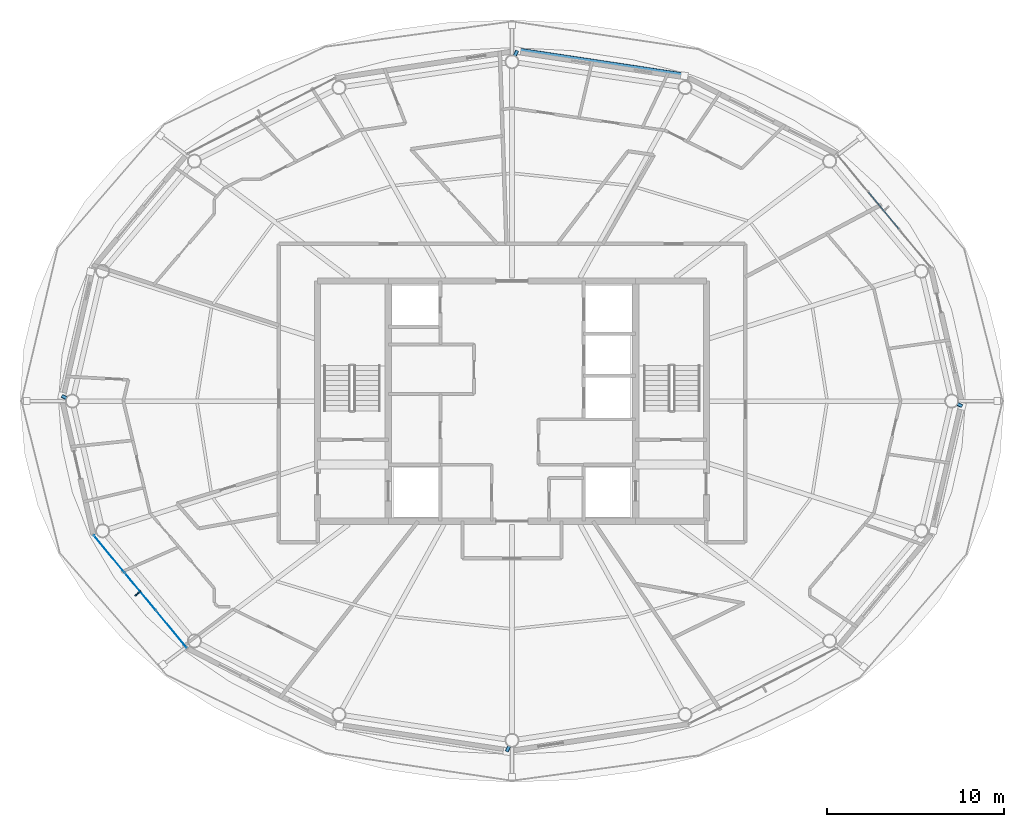
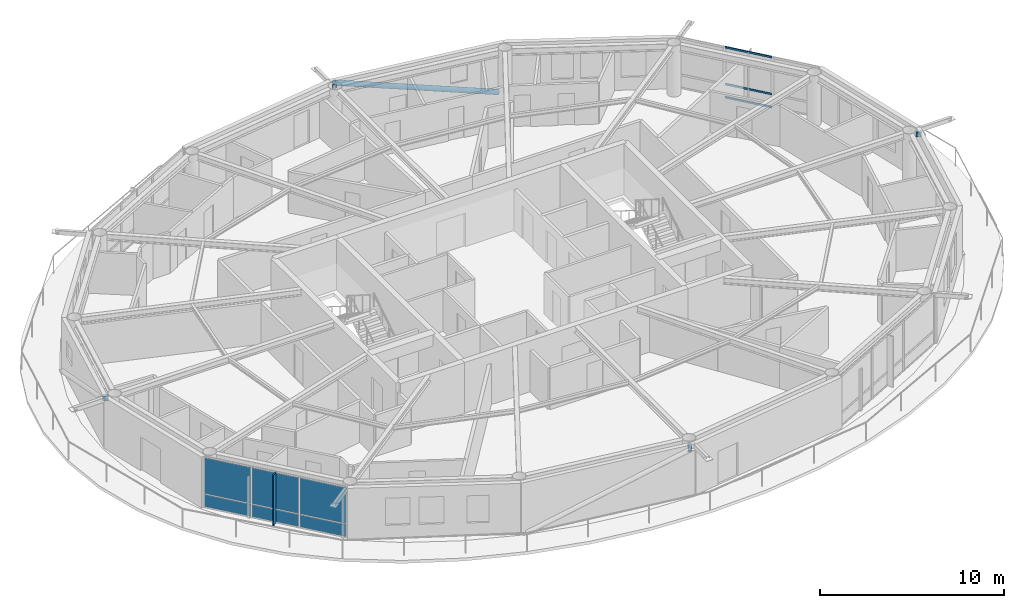
# One storey, part 12 of 22: 8 members, 7 plates, 2 elements without a shape of their own.
"""IFC4 building model written with IfcOpenShell, lengths in metres."""

from ifc_helpers import new_model, si_unit, direction, frame, origin, origin_2d, place, context, subcontext, project, spatial, rectangle, hollow_rectangle, hollow_circle, extrude, material, layer, layer_set, material_profile, profile_set, type_object, element, aggregate, save


model = new_model("IFC4")

# Units and contexts
model_context = context("Model", 3, precision=1e-05, world=origin(), true_north=direction((0.0, 1.0)))
body_context = subcontext(model_context, "Body", "Model", "MODEL_VIEW")
ifc_project = project(units=[si_unit("LENGTHUNIT", "METRE"), si_unit("AREAUNIT", "SQUARE_METRE"), si_unit("VOLUMEUNIT", "CUBIC_METRE"), si_unit("PLANEANGLEUNIT", "RADIAN"), si_unit("MASSUNIT", "GRAM", prefix="KILO")], contexts=[model_context])

# Site, building, storey
site_placement = place(None, origin())
site = spatial("IfcSite", under=ifc_project, at=site_placement, CompositionType="ELEMENT")
building_placement = place(site_placement, origin())
building = spatial("IfcBuilding", under=site, at=building_placement, Name="Sarneth Arch Tower", CompositionType="ELEMENT")
storey_placement = place(building_placement, frame((0.0, 0.0, 287.39990234375)))
storey = spatial("IfcBuildingStorey", under=building, at=storey_placement, Name="L74", CompositionType="ELEMENT", Elevation=287.39990234375)

# Curtain wall, members
ifc_material_1 = material(Name="Anodised aluminium Type AA25 and solar-control low-e laminated IGU", Category="aluminium")
ifc_layer_1 = layer(ifc_material_1, 0.179931640625)
ifc_layer_set_1 = layer_set([ifc_layer_1], Name="Anodised aluminium Type AA25 and solar-control low-e laminated IGU")
curtain_wall_type = type_object("IfcCurtainWallType", Name="CW-RES-HIGH", PredefinedType="NOTDEFINED", material=ifc_layer_set_1)
curtain_wall_1_placement = place(storey_placement, origin())
curtain_wall_1 = element("IfcCurtainWall", 1, at=curtain_wall_1_placement, inside=storey, type_object=curtain_wall_type, Name="L74 Unitised curtain wall facet 02", PredefinedType="NOTDEFINED")
ifc_material_2 = material(Name="Anodised Aluminium 6063-T6", Category="aluminium")
ifc_material_profile_1 = material_profile(ifc_material_2, hollow_rectangle(XDim=0.06005859375, YDim=0.1201171875, WallThickness=0.00390625, at=origin_2d()), Name="AL-TRAN-120x60x4")
ifc_profile_set_1 = profile_set([ifc_material_profile_1], Name="Anodised Aluminium 6063-T6")
member_type_1 = type_object("IfcMemberType", Name="CW-TRANSOM", PredefinedType="USERDEFINED", material=ifc_profile_set_1)
member_1_placement = place(storey_placement, frame((69.904296875, 51.731689453125, 0.030029296875), z_axis=(-0.637617371902, 0.770353222261, 0.0), x_axis=(-0.770353222261, -0.637617371902, 0.0)))
member_1 = element("IfcMember", 2, at=member_1_placement, type_object=member_type_1, Name="CW-SYS-6 transom 2.1", ObjectType="TRANSOM", PredefinedType="USERDEFINED", context=body_context, shape_type="SweptSolid", body=[
    extrude(hollow_rectangle(XDim=0.06005859375, YDim=0.1201171875, WallThickness=0.00390625, at=origin_2d()), origin(), (0.0, 0.0, 1.0), 2.716552734375),
])
member_2_placement = place(storey_placement, frame((69.904296875, 51.731689453125, 0.900146484375), z_axis=(-0.637617371902, 0.770353222261, 0.0), x_axis=(-0.770353222261, -0.637617371902, 0.0)))
member_2 = element("IfcMember", 3, at=member_2_placement, type_object=member_type_1, Name="CW-SYS-6 transom 2.2", ObjectType="TRANSOM", PredefinedType="USERDEFINED", context=body_context, shape_type="SweptSolid", body=[
    extrude(hollow_rectangle(XDim=0.06005859375, YDim=0.1201171875, WallThickness=0.00390625, at=origin_2d()), origin(), (0.0, 0.0, 1.0), 2.716552734375),
])
member_3_placement = place(storey_placement, frame((69.904296875, 51.731689453125, 3.340087890625), z_axis=(-0.637617371902, 0.770353222261, 0.0), x_axis=(-0.770353222261, -0.637617371902, 0.0)))
member_3 = element("IfcMember", 4, at=member_3_placement, type_object=member_type_1, Name="CW-SYS-6 transom 2.3", ObjectType="TRANSOM", PredefinedType="USERDEFINED", context=body_context, shape_type="SweptSolid", body=[
    extrude(hollow_rectangle(XDim=0.06005859375, YDim=0.1201171875, WallThickness=0.00390625, at=origin_2d()), origin(), (0.0, 0.0, 1.0), 2.716552734375),
])
aggregate(curtain_wall_1, [member_1, member_2, member_3])

# Members
ifc_material_3 = material(Name="Steel S355", Category="steel")
ifc_material_profile_2 = material_profile(ifc_material_3, hollow_rectangle(XDim=0.199951171875, YDim=0.300048828125, WallThickness=0.012451171875, InnerFilletRadius=0.018798828125, OuterFilletRadius=0.03125, at=origin_2d()), Name="RHS300x200x12.5")
ifc_profile_set_2 = profile_set([ifc_material_profile_2], Name="Steel S355")
member_type_2 = type_object("IfcMemberType", Name="MEM-CANT-STRUT", PredefinedType="STRUT", material=ifc_profile_set_2)
member_4_placement = place(storey_placement, frame((48.14501953125, 61.5107421875, 3.09228515625), z_axis=(0.423071936831, 0.906096096596, 0.0), x_axis=(-0.906096096596, 0.423071936831, 0.0)))
element("IfcMember", 5, at=member_4_placement, inside=storey, type_object=member_type_2, Name="L74 Exoskeleton brace node strut 04B", PredefinedType="STRUT", context=body_context, shape_type="SweptSolid", body=[
    extrude(hollow_rectangle(XDim=0.199951171875, YDim=0.300048828125, WallThickness=0.012451171875, InnerFilletRadius=0.018798828125, OuterFilletRadius=0.03125, at=origin_2d()), origin(), (0.0, 0.0, 1.0), 0.3583984375),
])
member_5_placement = place(storey_placement, frame((22.80908203125, 42.151611328125, 3.09228515625), z_axis=(-0.897170676041, 0.441684025128, 0.0), x_axis=(-0.441684025128, -0.897170676041, 0.0)))
element("IfcMember", 6, at=member_5_placement, inside=storey, type_object=member_type_2, Name="L74 Exoskeleton brace node strut 08B", PredefinedType="STRUT", context=body_context, shape_type="SweptSolid", body=[
    extrude(hollow_rectangle(XDim=0.199951171875, YDim=0.300048828125, WallThickness=0.012451171875, InnerFilletRadius=0.018798828125, OuterFilletRadius=0.03125, at=origin_2d()), origin(), (0.0, 0.0, 1.0), 0.318359375),
])
member_6_placement = place(storey_placement, frame((47.85498046875, 22.4892578125, 3.09228515625), z_axis=(-0.423071936831, -0.906096096596, 0.0), x_axis=(0.906096096596, -0.423071936831, 0.0)))
element("IfcMember", 7, at=member_6_placement, inside=storey, type_object=member_type_2, Name="L74 Exoskeleton brace node strut 12B", PredefinedType="STRUT", context=body_context, shape_type="SweptSolid", body=[
    extrude(hollow_rectangle(XDim=0.199951171875, YDim=0.300048828125, WallThickness=0.012451171875, InnerFilletRadius=0.018798828125, OuterFilletRadius=0.03125, at=origin_2d()), origin(), (0.0, 0.0, 1.0), 0.3583984375),
])
member_7_placement = place(storey_placement, frame((73.19091796875, 41.848388671875, 3.09228515625), z_axis=(0.897170676041, -0.441684025128, 0.0), x_axis=(0.441684025128, 0.897170676041, 0.0)))
element("IfcMember", 8, at=member_7_placement, inside=storey, type_object=member_type_2, Name="L74 Exoskeleton brace node strut 16B", PredefinedType="STRUT", context=body_context, shape_type="SweptSolid", body=[
    extrude(hollow_rectangle(XDim=0.199951171875, YDim=0.300048828125, WallThickness=0.012451171875, InnerFilletRadius=0.018798828125, OuterFilletRadius=0.03125, at=origin_2d()), origin(), (0.0, 0.0, 1.0), 0.318359375),
])
ifc_material_4 = material(Name="Steel S355", Category="steel")
ifc_material_profile_3 = material_profile(ifc_material_4, hollow_circle(Radius=0.162109375, WallThickness=0.012451171875, at=origin_2d()), Name="CHS324x12.5")
ifc_profile_set_3 = profile_set([ifc_material_profile_3], Name="Steel S355")
member_type_3 = type_object("IfcMemberType", Name="MEM-DIAG-BR3", PredefinedType="BRACE", material=ifc_profile_set_3)
member_8_placement = place(storey_placement, frame((57.754150390625, 60.411376953125, 0.02001953125), z_axis=(-0.941471055877, 0.141762627625, 0.305835917372), x_axis=(-0.148897148305, -0.988852688335, 0.0)))
element("IfcMember", 9, at=member_8_placement, inside=storey, type_object=member_type_3, Name="L74 Perimeter frame diagonal 04", PredefinedType="BRACE", context=body_context, shape_type="SweptSolid", body=[
    extrude(hollow_circle(Radius=0.162109375, WallThickness=0.012451171875, at=origin_2d()), origin(), (0.0, 0.0, 1.0), 10.04541015625),
])

# Curtain wall, plates
curtain_wall_2_placement = place(storey_placement, origin())
curtain_wall_2 = element("IfcCurtainWall", 10, at=curtain_wall_2_placement, inside=storey, type_object=curtain_wall_type, Name="L74 Unitised curtain wall facet 10", PredefinedType="NOTDEFINED")
ifc_material_5 = material(Name="Solar-control low-e laminated IGU", Category="glass")
ifc_layer_2 = layer(ifc_material_5, 0.028076171875)
ifc_layer_set_2 = layer_set([ifc_layer_2], Name="Solar-control low-e laminated IGU")
plate_type_1 = type_object("IfcPlateType", Name="CW-PANEL", PredefinedType="CURTAIN_PANEL", material=ifc_layer_set_2)
plate_1_placement = place(storey_placement, frame((25.200927734375, 33.349365234375, 0.06005859375), z_axis=(0.0, 0.0, 1.0), x_axis=(0.637610094184, -0.770359245933, 0.0)))
plate_1 = element("IfcPlate", 11, at=plate_1_placement, type_object=plate_type_1, Name="Curtain wall glazed vision pane CW-L74-F10/P00-00", PredefinedType="CURTAIN_PANEL", context=body_context, shape_type="SweptSolid", body=[
    extrude(rectangle(XDim=2.686767578125, YDim=0.028076171875, at=origin_2d()), origin(), (0.0, 0.0, 1.0), 0.81005859375),
])
plate_2_placement = place(storey_placement, frame((25.200927734375, 33.349365234375, 0.93017578125), z_axis=(0.0, 0.0, 1.0), x_axis=(0.637610094184, -0.770359245933, 0.0)))
plate_2 = element("IfcPlate", 12, at=plate_2_placement, type_object=plate_type_1, Name="Curtain wall glazed vision pane CW-L74-F10/P00-01", PredefinedType="CURTAIN_PANEL", context=body_context, shape_type="SweptSolid", body=[
    extrude(rectangle(XDim=2.686767578125, YDim=0.028076171875, at=origin_2d()), origin(), (0.0, 0.0, 1.0), 2.3798828125),
])
plate_3_placement = place(storey_placement, frame((26.9619140625, 31.221923828125, 0.06005859375), z_axis=(0.0, 0.0, 1.0), x_axis=(0.637610094184, -0.770359245933, 0.0)))
plate_3 = element("IfcPlate", 13, at=plate_3_placement, type_object=plate_type_1, Name="Curtain wall glazed vision pane CW-L74-F10/P01-00", PredefinedType="CURTAIN_PANEL", context=body_context, shape_type="SweptSolid", body=[
    extrude(rectangle(XDim=2.716552734375, YDim=0.028076171875, at=origin_2d()), origin(), (0.0, 0.0, 1.0), 0.81005859375),
])
plate_4_placement = place(storey_placement, frame((26.9619140625, 31.221923828125, 0.93017578125), z_axis=(0.0, 0.0, 1.0), x_axis=(0.637610094184, -0.770359245933, 0.0)))
plate_4 = element("IfcPlate", 14, at=plate_4_placement, type_object=plate_type_1, Name="Curtain wall glazed vision pane CW-L74-F10/P01-01", PredefinedType="CURTAIN_PANEL", context=body_context, shape_type="SweptSolid", body=[
    extrude(rectangle(XDim=2.716552734375, YDim=0.028076171875, at=origin_2d()), origin(), (0.0, 0.0, 1.0), 2.3798828125),
])
plate_5_placement = place(storey_placement, frame((28.72265625, 29.094482421875, 0.06005859375), z_axis=(0.0, 0.0, 1.0), x_axis=(0.637610094184, -0.770359245933, 0.0)))
plate_5 = element("IfcPlate", 15, at=plate_5_placement, type_object=plate_type_1, Name="Curtain wall glazed vision pane CW-L74-F10/P02-00", PredefinedType="CURTAIN_PANEL", context=body_context, shape_type="SweptSolid", body=[
    extrude(rectangle(XDim=2.686767578125, YDim=0.028076171875, at=origin_2d()), origin(), (0.0, 0.0, 1.0), 0.81005859375),
])
plate_6_placement = place(storey_placement, frame((28.72265625, 29.094482421875, 0.93017578125), z_axis=(0.0, 0.0, 1.0), x_axis=(0.637610094184, -0.770359245933, 0.0)))
plate_6 = element("IfcPlate", 16, at=plate_6_placement, type_object=plate_type_1, Name="Curtain wall glazed vision pane CW-L74-F10/P02-01", PredefinedType="CURTAIN_PANEL", context=body_context, shape_type="SweptSolid", body=[
    extrude(rectangle(XDim=2.686767578125, YDim=0.028076171875, at=origin_2d()), origin(), (0.0, 0.0, 1.0), 2.3798828125),
])
aggregate(curtain_wall_2, [plate_1, plate_2, plate_3, plate_4, plate_5, plate_6])

# Plate
ifc_material_6 = material(Name="Extruded glazed terracotta baguette fin on Aluminium 6063-T6 carrier", Category="masonry")
ifc_layer_3 = layer(ifc_material_6, 0.080078125)
ifc_layer_set_3 = layer_set([ifc_layer_3], Name="Extruded glazed terracotta baguette fin on Aluminium 6063-T6 carrier")
plate_type_2 = type_object("IfcPlateType", Name="SHADE-TERRA-FIN", PredefinedType="SHEET", material=ifc_layer_set_3)
plate_7_placement = place(storey_placement, frame((26.830810546875, 31.113525390625, 0.010009765625), z_axis=(0.0, 0.0, 1.0), x_axis=(-0.770401979567, -0.63755845997, 0.0)))
element("IfcPlate", 17, at=plate_7_placement, inside=storey, type_object=plate_type_2, Name="L74 Terracotta vertical shading fin 10", PredefinedType="SHEET", context=body_context, shape_type="SweptSolid", body=[
    extrude(rectangle(XDim=0.419921875, YDim=0.080078125, at=origin_2d()), origin(), (0.0, 0.0, 1.0), 3.35009765625),
])

save(model, "model.ifc")
